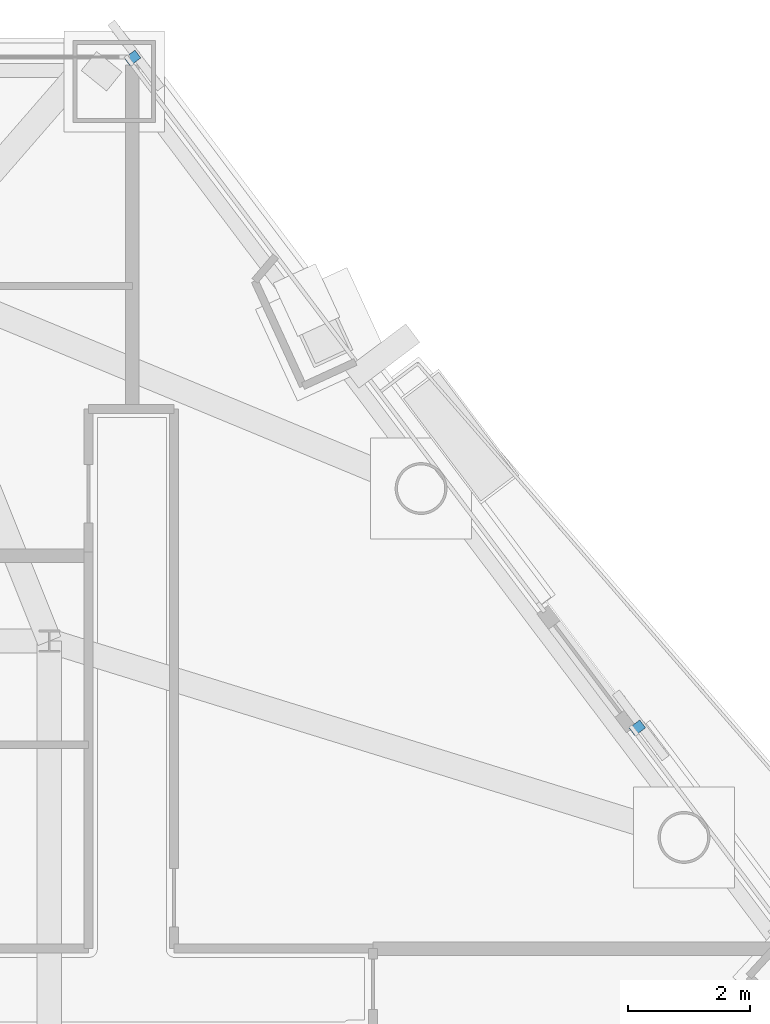
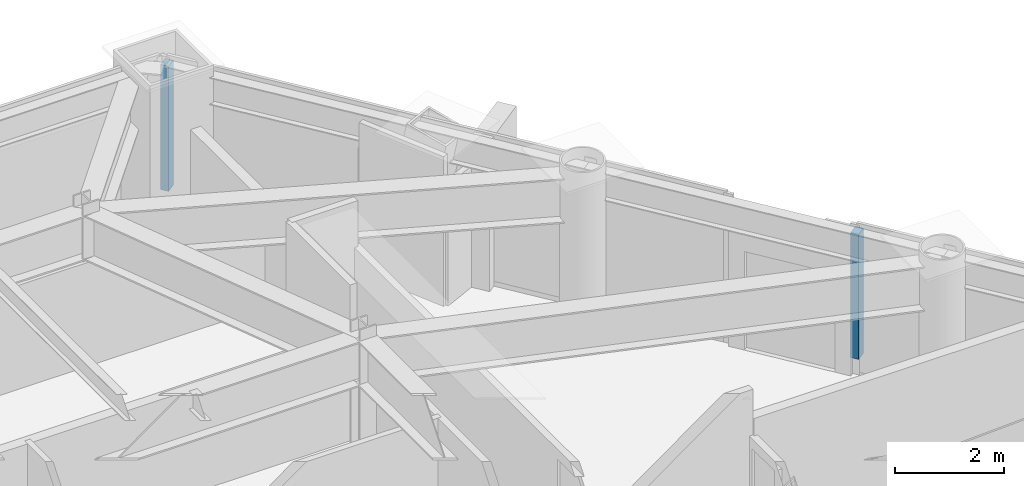
# One storey, part 9 of 11: 2 discrete accessories.
"""IFC4 building model written with IfcOpenShell, lengths in metres."""

from ifc_helpers import new_model, si_unit, direction, frame, origin, origin_2d, place, context, subcontext, project, spatial, rectangle, extrude, source, transform, mapped, material, layer, layer_set, type_object, type_shapes, element, save


model = new_model("IFC4")

# Units and contexts
model_context = context("Model", 3, precision=1e-05, world=origin(), true_north=direction((0.0, 1.0)))
body_context = subcontext(model_context, "Body", "Model", "MODEL_VIEW")
ifc_project = project(units=[si_unit("LENGTHUNIT", "METRE"), si_unit("AREAUNIT", "SQUARE_METRE"), si_unit("VOLUMEUNIT", "CUBIC_METRE"), si_unit("PLANEANGLEUNIT", "RADIAN"), si_unit("MASSUNIT", "GRAM", prefix="KILO")], contexts=[model_context])

# Site, building, storey
site_placement = place(None, origin())
site = spatial("IfcSite", under=ifc_project, at=site_placement, CompositionType="ELEMENT")
building_placement = place(site_placement, origin())
building = spatial("IfcBuilding", under=site, at=building_placement, Name="Talgorran Terracotta Tower", CompositionType="ELEMENT")
storey_placement = place(building_placement, frame((0.0, 0.0, 35.10009765625)))
storey = spatial("IfcBuildingStorey", under=building, at=storey_placement, Name="L08", CompositionType="ELEMENT", Elevation=35.10009765625)

# Discrete accessories
ifc_material = material(Name="Stainless Steel Grade 316", Category="steel")
ifc_layer = layer(ifc_material, 0.080078125, Name="ACC_BAGUETTE_BRKT")
ifc_layer_set = layer_set([ifc_layer], Name="Stainless Steel Grade 316")
discrete_accessory_type = type_object("IfcDiscreteAccessoryType", Name="ACC_BAGUETTE_BRKT", PredefinedType="BRACKET", material=ifc_layer_set)
shared_shape = source(origin(), body_context, "Body", "SweptSolid", [
    extrude(rectangle(XDim=0.159912109375, YDim=0.219970703125, at=origin_2d()), origin(), (0.0, 0.0, 1.0), 2.800048828125),
])
type_shapes(discrete_accessory_type, [shared_shape])
for number, where, z_axis, x_axis, name in (
    (1, (16.834716796875, 0.9765625, 0.35009765625), (0.0, 0.0, 1.0), (-0.601801084241, 0.798646013579, 0.0), "BRK-L08-F40"),
    (2, (8.562255859375, 11.95458984375, 0.35009765625), (0.0, 0.0, 1.0), (-0.601815023152, 0.798635510047, 0.0), "BRK-L08-F41"),
):
    element("IfcDiscreteAccessory", number, at=place(storey_placement, frame(where, z_axis=z_axis, x_axis=x_axis)), inside=storey, type_object=discrete_accessory_type, Name=name, PredefinedType="BRACKET", context=body_context, shape_type="MappedRepresentation", body=[
        mapped(shared_shape, transform((0.0, 0.0, 0.0), scale=1.0)),
    ])

save(model, "model.ifc")
